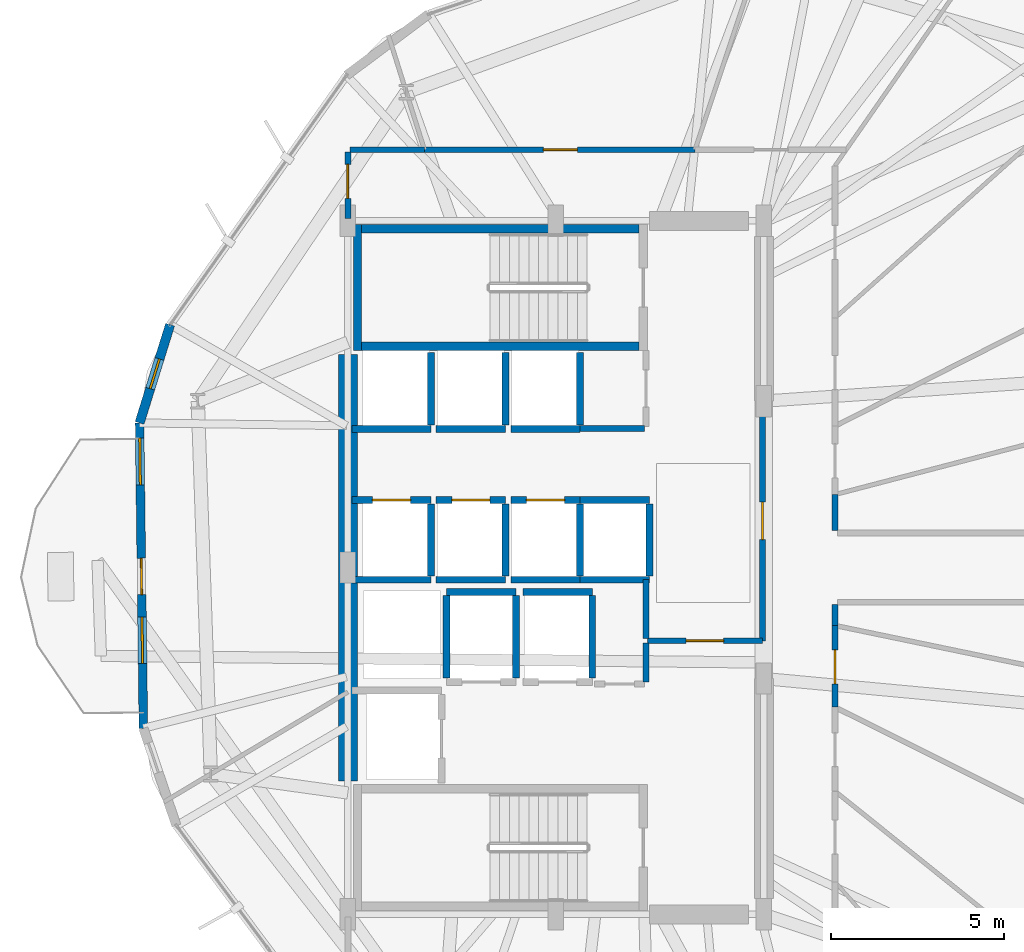
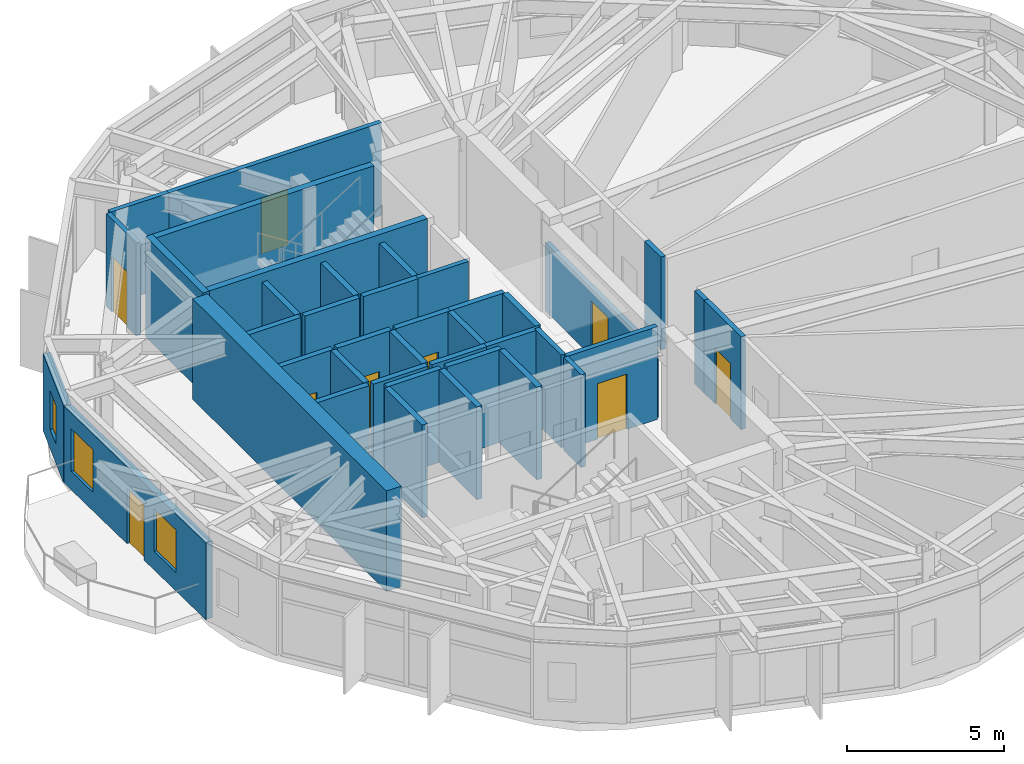
# One storey, part 20 of 25: 40 walls, 9 doors, 3 windows, 12 openings.
"""IFC4 building model written with IfcOpenShell, lengths in metres."""

import ifcopenshell
import ifcopenshell.guid

model = None  # the IFC model being written
_history = None  # IfcOwnerHistory: only IFC2X3 demands one
_inside = {}  # id of a spatial element -> (the spatial element, [elements in it])
_under = {}  # id of a project, library or spatial element -> (it, [spatial elements below it])
_declared = {}  # id of a project -> (the project, [libraries it declares])
_typed = {}  # id of a type object -> (the type object, [elements of that type])
_made_of = {}  # id of a material, layer set ... -> (it, [elements and type objects made of it])


def new_model(schema):
    """Start an empty IFC model of exactly this schema.

    Asked for "IFC4X3", IfcOpenShell would pick the latest addendum, in which some entities
    have other attributes; the version numbers below select the first issue.
    IFC2X3 requires an IfcOwnerHistory on every rooted entity: one is made here for all.
    """
    global model, _history
    if schema == "IFC4X3":
        model = ifcopenshell.file(schema_version=(4, 3, 0, 0))
    else:
        model = ifcopenshell.file(schema=schema)
    _inside.clear()
    _under.clear()
    _declared.clear()
    _typed.clear()
    _made_of.clear()
    _history = None
    if model.schema == "IFC2X3":
        org = make("IfcOrganization", Name="unknown")
        user = make(
            "IfcPersonAndOrganization",
            ThePerson=make("IfcPerson", FamilyName="unknown"),
            TheOrganization=org,
        )
        app = make(
            "IfcApplication",
            ApplicationDeveloper=org,
            Version="unknown",
            ApplicationFullName="unknown",
            ApplicationIdentifier="unknown",
        )
        _history = make(
            "IfcOwnerHistory",
            OwningUser=user,
            OwningApplication=app,
            ChangeAction="ADDED",
            CreationDate=0,
        )
    return model


def make(cls, **values):
    """One entity of the class cls with the attributes given. An attribute that is None is left unset."""
    return model.create_entity(
        cls, **{name: value for name, value in values.items() if value is not None}
    )


def rooted(cls, **values):
    """An entity with a GlobalId (a new one), such as an element, a storey or a relation."""
    return make(cls, GlobalId=ifcopenshell.guid.new(), OwnerHistory=_history, **values)


def si_unit(unit_type, name, prefix=None):
    """IfcSIUnit, for example si_unit("LENGTHUNIT", "METRE", prefix="MILLI")."""
    return make("IfcSIUnit", UnitType=unit_type, Prefix=prefix, Name=name)


def assignment(units):
    """IfcUnitAssignment: the units of a project."""
    return None if units is None else make("IfcUnitAssignment", Units=units)


def point(xyz):
    """IfcCartesianPoint."""
    return None if xyz is None else make("IfcCartesianPoint", Coordinates=xyz)


def direction(xyz):
    """IfcDirection."""
    return None if xyz is None else make("IfcDirection", DirectionRatios=xyz)


def frame(location, z_axis=None, x_axis=None):
    """IfcAxis2Placement3D, a coordinate frame: its origin and axes. An axis left out is left unset."""
    return make(
        "IfcAxis2Placement3D",
        Location=point(location),
        Axis=direction(z_axis),
        RefDirection=direction(x_axis),
    )


def frame_2d(location, x_axis=None):
    """IfcAxis2Placement2D, a coordinate frame in the plane: its origin and x axis."""
    return make(
        "IfcAxis2Placement2D", Location=point(location), RefDirection=direction(x_axis)
    )


def origin():
    """The frame at (0, 0, 0) with its axes left unset."""
    return frame((0.0, 0.0, 0.0))


def place(relative_to, where):
    """IfcLocalPlacement: puts the frame where relative to a parent placement (None: the world)."""
    return make(
        "IfcLocalPlacement", PlacementRelTo=relative_to, RelativePlacement=where
    )


def context(
    kind, dimensions, precision=None, world=None, true_north=None, identifier=None
):
    """IfcGeometricRepresentationContext, for example the 3D "Model" context."""
    return make(
        "IfcGeometricRepresentationContext",
        ContextIdentifier=identifier,
        ContextType=kind,
        CoordinateSpaceDimension=dimensions,
        Precision=precision,
        WorldCoordinateSystem=world,
        TrueNorth=true_north,
    )


def subcontext(parent, identifier, kind, view, scale=None):
    """IfcGeometricRepresentationSubContext, for example "Body" below "Model"."""
    return make(
        "IfcGeometricRepresentationSubContext",
        ContextIdentifier=identifier,
        ContextType=kind,
        ParentContext=parent,
        TargetScale=scale,
        TargetView=view,
    )


def project(units=None, contexts=None):
    """IfcProject with its units and contexts."""
    return rooted(
        "IfcProject",
        Name="project",
        RepresentationContexts=contexts,
        UnitsInContext=assignment(units),
    )


def spatial(cls, under=None, at=None, **own):
    """A site, building, storey or space (cls), placed at a placement, below another one or the project."""
    s = rooted(cls, ObjectPlacement=at, **own)
    if under is not None:
        _under.setdefault(under.id(), (under, []))[1].append(s)
    return s


def profile(cls, at=None, kind="AREA", **sizes):
    """A parametric profile (cls). Its sizes go by their IFC names, for example OverallWidth=200.0."""
    return make(cls, ProfileType=kind, Position=at, **sizes)


def rectangle(**sizes):
    """IfcRectangleProfileDef."""
    return profile("IfcRectangleProfileDef", **sizes)


def extrude(swept, where, along, depth):
    """IfcExtrudedAreaSolid: the profile swept, set in the frame where, extruded along a direction by depth."""
    return make(
        "IfcExtrudedAreaSolid",
        SweptArea=swept,
        Position=where,
        ExtrudedDirection=direction(along),
        Depth=depth,
    )


def shape(context_of_items, identifier, shape_type, items):
    """IfcShapeRepresentation: the items that make up one representation, for example the "Body"."""
    return make(
        "IfcShapeRepresentation",
        ContextOfItems=context_of_items,
        RepresentationIdentifier=identifier,
        RepresentationType=shape_type,
        Items=items,
    )


def material(Name=None, Category=None):
    """IfcMaterial."""
    return make("IfcMaterial", Name=Name, Category=Category)


def layer(
    of_material, thickness, ventilated=None, Name=None, Category=None, Priority=None
):
    """IfcMaterialLayer: one layer of a wall or slab, of a material (None: an air gap)."""
    return make(
        "IfcMaterialLayer",
        Material=of_material,
        LayerThickness=thickness,
        IsVentilated=ventilated,
        Name=Name,
        Category=Category,
        Priority=Priority,
    )


def layer_set(layers, Name=None):
    """IfcMaterialLayerSet."""
    return make("IfcMaterialLayerSet", MaterialLayers=layers, LayerSetName=Name)


def made_of(thing, what):
    """Note that an element or type object is made of a material, layer set ...; save() writes the relation."""
    if what is not None:
        _made_of.setdefault(what.id(), (what, []))[1].append(thing)
    return thing


def type_object(cls, material=None, **own):
    """A type object (cls), such as IfcWallType, which elements share."""
    return made_of(rooted(cls, **own), material)


def element(
    cls,
    number,
    at=None,
    inside=None,
    cuts=None,
    type_object=None,
    material=None,
    context=None,
    identifier="Body",
    shape_type=None,
    held_by="IfcProductDefinitionShape",
    body=None,
    shapes=None,
    **own,
):
    """One element of the class cls, such as IfcWall. Its Tag is "e" and its number.

    at: its placement. inside: the storey or other place that contains it. cuts: it is an
    opening in that element (IfcRelVoidsElement). A single representation is given by context,
    identifier, shape_type and body (its items); several are given by shapes. held_by: the class
    of the entity that holds the representations. save() writes the other relations.
    """
    e = rooted(cls, Tag="e%d" % number, ObjectPlacement=at, **own)
    if body is not None:
        shapes = [shape(context, identifier, shape_type, body)]
    if shapes is not None:
        e.Representation = make(held_by, Representations=shapes)
    if inside is not None:
        _inside.setdefault(inside.id(), (inside, []))[1].append(e)
    if cuts is not None:
        rooted(
            "IfcRelVoidsElement", RelatingBuildingElement=cuts, RelatedOpeningElement=e
        )
    if type_object is not None:
        _typed.setdefault(type_object.id(), (type_object, []))[1].append(e)
    return made_of(e, material)


def fill(opening, filler):
    """IfcRelFillsElement: the door or window that sits in an opening."""
    return rooted(
        "IfcRelFillsElement",
        RelatingOpeningElement=opening,
        RelatedBuildingElement=filler,
    )


def aggregate(whole, parts):
    """IfcRelAggregates: a whole, such as a stair, and the parts it consists of."""
    return rooted("IfcRelAggregates", RelatingObject=whole, RelatedObjects=parts)


def save(model, path):
    """Write the relations noted so far, then the file.

    IfcRelAggregates (storeys below a building ...), IfcRelContainedInSpatialStructure (elements
    in a storey), IfcRelDefinesByType, IfcRelAssociatesMaterial and IfcRelDeclares: one each for
    every whole, place, type object, material and project.
    """
    for whole, parts in _under.values():
        aggregate(whole, parts)
    for where, things in _inside.values():
        rooted(
            "IfcRelContainedInSpatialStructure",
            RelatedElements=things,
            RelatingStructure=where,
        )
    for kind, things in _typed.values():
        rooted("IfcRelDefinesByType", RelatedObjects=things, RelatingType=kind)
    for what, things in _made_of.values():
        rooted("IfcRelAssociatesMaterial", RelatedObjects=things, RelatingMaterial=what)
    for by, libraries in _declared.values():
        rooted("IfcRelDeclares", RelatingContext=by, RelatedDefinitions=libraries)
    model.write(path)


model = new_model("IFC4")

# Units and contexts
model_context = context("Model", 3, precision=1e-05, world=origin(), true_north=direction((0.0, 1.0)))
body_context = subcontext(model_context, "Body", "Model", "MODEL_VIEW")
ifc_project = project(units=[si_unit("LENGTHUNIT", "METRE"), si_unit("AREAUNIT", "SQUARE_METRE"), si_unit("VOLUMEUNIT", "CUBIC_METRE"), si_unit("PLANEANGLEUNIT", "RADIAN"), si_unit("MASSUNIT", "GRAM", prefix="KILO")], contexts=[model_context])

# Site, building, storey
site_placement = place(None, origin())
site = spatial("IfcSite", under=ifc_project, at=site_placement, CompositionType="ELEMENT")
building_placement = place(site_placement, origin())
building = spatial("IfcBuilding", under=site, at=building_placement, Name="Soratama Intermodal Tower", CompositionType="ELEMENT")
storey_placement = place(building_placement, frame((0.0, 0.0, 106.89990234375)))
storey = spatial("IfcBuildingStorey", under=building, at=storey_placement, Name="L25", CompositionType="ELEMENT", Elevation=106.89990234375)

# Wall, openings, door, windows
ifc_material_1 = material(Name="Concrete f'c 42 MPa", Category="concrete")
ifc_layer_1 = layer(ifc_material_1, 0.25)
ifc_layer_set_1 = layer_set([ifc_layer_1], Name="Concrete f'c 42 MPa")
wall_type_1 = type_object("IfcWallType", Name="EW-BAL-250", PredefinedType="SOLIDWALL", material=ifc_layer_set_1)
wall_1_placement = place(storey_placement, frame((26.59423828125, 29.17236328125, 0.0), z_axis=(0.0, 0.0, 1.0), x_axis=(0.012558271015, -0.999921141805, 0.0)))
wall_1 = element("IfcWall", 1, at=wall_1_placement, inside=storey, type_object=wall_type_1, Name="L25 Terrace Wall F05", PredefinedType="SOLIDWALL", context=body_context, shape_type="SweptSolid", body=[
    extrude(rectangle(XDim=8.806640625, YDim=0.25, at=frame_2d((4.4033203125, 0.0))), origin(), (0.0, 0.0, 1.0), 2.97900390625),
])
opening_1_placement = place(wall_1_placement, frame((3.9033203125, 0.0, 0.0)))
opening_1 = element("IfcOpeningElement", 2, at=opening_1_placement, cuts=wall_1, Name="Opening ED-5", PredefinedType="OPENING", context=body_context, shape_type="SweptSolid", body=[
    extrude(rectangle(XDim=1.050048828125, YDim=2.14990234375, at=frame_2d((0.52490234375, 1.074951171875))), frame((0.0, 0.135009765625, 0.0), z_axis=(0.0, -1.0, 0.0), x_axis=(1.0, 0.0, 0.0)), (0.0, 0.0, 1.0), 0.27001953125),
])
opening_2_placement = place(wall_1_placement, frame((0.43994140625, 0.0, 0.719970703125)))
opening_2 = element("IfcOpeningElement", 3, at=opening_2_placement, cuts=wall_1, Name="Opening WN-4", PredefinedType="OPENING", context=body_context, shape_type="SweptSolid", body=[
    extrude(rectangle(XDim=1.35009765625, YDim=1.64990234375, at=frame_2d((0.675048828125, 0.824951171875))), frame((0.0, 0.135009765625, 0.0), z_axis=(0.0, -1.0, 0.0), x_axis=(1.0, 0.0, 0.0)), (0.0, 0.0, 1.0), 0.27001953125),
])
opening_3_placement = place(wall_1_placement, frame((5.59326171875, 0.0, 0.719970703125)))
opening_3 = element("IfcOpeningElement", 4, at=opening_3_placement, cuts=wall_1, Name="Opening WN-4", PredefinedType="OPENING", context=body_context, shape_type="SweptSolid", body=[
    extrude(rectangle(XDim=1.35009765625, YDim=1.64990234375, at=frame_2d((0.675048828125, 0.824951171875))), frame((0.0, 0.135009765625, 0.0), z_axis=(0.0, -1.0, 0.0), x_axis=(1.0, 0.0, 0.0)), (0.0, 0.0, 1.0), 0.27001953125),
])
ifc_material_2 = material(Name="Double-glazed aluminium door", Category="aluminium")
door_type_1 = type_object("IfcDoorType", Name="DR-BAL-1050", OperationType="NOTDEFINED", PredefinedType="DOOR", material=ifc_material_2)
door_1_placement = place(opening_1_placement, origin())
door_1 = element("IfcDoor", 5, at=door_1_placement, inside=storey, type_object=door_type_1, Name="L25 Balcony Door F05", OperationType="SINGLE_SWING_LEFT", OverallHeight=2.14990234375, OverallWidth=1.050048828125, PredefinedType="DOOR", context=body_context, shape_type="SweptSolid", body=[
    extrude(rectangle(XDim=1.050048828125, YDim=2.14990234375, at=frame_2d((0.52490234375, 1.074951171875))), frame((0.0, 0.02490234375, 0.0), z_axis=(0.0, -1.0, 0.0), x_axis=(1.0, 0.0, 0.0)), (0.0, 0.0, 1.0), 0.050048828125),
])
fill(opening_1, door_1)
ifc_material_3 = material(Name="Double-glazed aluminium window", Category="aluminium")
window_type_1 = type_object("IfcWindowType", Name="WN-FAC-1350", PartitioningType="SINGLE_PANEL", PredefinedType="WINDOW", material=ifc_material_3)
window_1_placement = place(opening_2_placement, origin())
window_1 = element("IfcWindow", 6, at=window_1_placement, inside=storey, type_object=window_type_1, Name="L25 Window A F05", OverallHeight=1.64990234375, OverallWidth=1.35009765625, PartitioningType="SINGLE_PANEL", PredefinedType="WINDOW", context=body_context, shape_type="SweptSolid", body=[
    extrude(rectangle(XDim=1.35009765625, YDim=1.64990234375, at=frame_2d((0.675048828125, 0.824951171875))), frame((0.0, 0.030029296875, 0.0), z_axis=(0.0, -1.0, 0.0), x_axis=(1.0, 0.0, 0.0)), (0.0, 0.0, 1.0), 0.06005859375),
])
fill(opening_2, window_1)
window_2_placement = place(opening_3_placement, origin())
window_2 = element("IfcWindow", 7, at=window_2_placement, inside=storey, type_object=window_type_1, Name="L25 Window B F05", OverallHeight=1.64990234375, OverallWidth=1.35009765625, PartitioningType="SINGLE_PANEL", PredefinedType="WINDOW", context=body_context, shape_type="SweptSolid", body=[
    extrude(rectangle(XDim=1.35009765625, YDim=1.64990234375, at=frame_2d((0.675048828125, 0.824951171875))), frame((0.0, 0.030029296875, 0.0), z_axis=(0.0, -1.0, 0.0), x_axis=(1.0, 0.0, 0.0)), (0.0, 0.0, 1.0), 0.06005859375),
])
fill(opening_3, window_2)

# Wall, opening, window
ifc_material_4 = material(Name="Concrete f'c 42 MPa", Category="concrete")
ifc_layer_2 = layer(ifc_material_4, 0.27001953125)
ifc_layer_set_2 = layer_set([ifc_layer_2], Name="Concrete f'c 42 MPa")
wall_type_2 = type_object("IfcWallType", Name="EW-CRN-270", PredefinedType="SOLIDWALL", material=ifc_layer_set_2)
wall_2_placement = place(storey_placement, frame((27.475341796875, 32.0048828125, 0.0), z_axis=(0.0, 0.0, 1.0), x_axis=(-0.29702819911, -0.954868707694, 0.0)))
wall_2 = element("IfcWall", 8, at=wall_2_placement, inside=storey, type_object=wall_type_2, Name="L25 Corner Closure Wall 04", PredefinedType="SOLIDWALL", context=body_context, shape_type="SweptSolid", body=[
    extrude(rectangle(XDim=2.96630859375, YDim=0.27001953125, at=frame_2d((1.483154296875, 0.0))), origin(), (0.0, 0.0, 1.0), 2.97900390625),
])
opening_4_placement = place(wall_2_placement, frame((1.033203125, 0.0, 0.75)))
opening_4 = element("IfcOpeningElement", 9, at=opening_4_placement, cuts=wall_2, Name="Opening WN-6", PredefinedType="OPENING", context=body_context, shape_type="SweptSolid", body=[
    extrude(rectangle(XDim=0.89990234375, YDim=1.5, at=frame_2d((0.449951171875, 0.75))), frame((0.0, 0.14501953125, 0.0), z_axis=(0.0, -1.0, 0.0), x_axis=(1.0, 0.0, 0.0)), (0.0, 0.0, 1.0), 0.2900390625),
])
ifc_material_5 = material(Name="Double-glazed aluminium window", Category="aluminium")
window_type_2 = type_object("IfcWindowType", Name="WN-FAC-900", PartitioningType="SINGLE_PANEL", PredefinedType="WINDOW", material=ifc_material_5)
window_3_placement = place(opening_4_placement, origin())
window_3 = element("IfcWindow", 10, at=window_3_placement, inside=storey, type_object=window_type_2, Name="L25 Corner Window 04", OverallHeight=1.5, OverallWidth=0.89990234375, PartitioningType="SINGLE_PANEL", PredefinedType="WINDOW", context=body_context, shape_type="SweptSolid", body=[
    extrude(rectangle(XDim=0.89990234375, YDim=1.5, at=frame_2d((0.449951171875, 0.75))), frame((0.0, 0.030029296875, 0.0), z_axis=(0.0, -1.0, 0.0), x_axis=(1.0, 0.0, 0.0)), (0.0, 0.0, 1.0), 0.06005859375),
])
fill(opening_4, window_3)

# Wall, opening, door
ifc_material_6 = material(Name="Fire-rated gypsum stud partition", Category="concrete")
ifc_layer_3 = layer(ifc_material_6, 0.169921875)
ifc_layer_set_3 = layer_set([ifc_layer_3], Name="Fire-rated gypsum stud partition")
wall_type_3 = type_object("IfcWallType", Name="IW-PART-R170", PredefinedType="PARTITIONING", material=ifc_layer_set_3)
wall_3_placement = place(storey_placement, frame((34.81005859375, 37.050048828125, 0.0), z_axis=(0.0, 0.0, 1.0), x_axis=(1.0, 0.0, 0.0)))
wall_3 = element("IfcWall", 11, at=wall_3_placement, inside=storey, type_object=wall_type_3, Name="L25 Partition W-L25-TP010", PredefinedType="PARTITIONING", context=body_context, shape_type="SweptSolid", body=[
    extrude(rectangle(XDim=7.803955078125, YDim=0.169921875, at=frame_2d((3.90185546875, 0.0))), origin(), (0.0, 0.0, 1.0), 3.60009765625),
])
opening_5_placement = place(wall_3_placement, frame((3.427001953125, 0.0, 0.0)))
opening_5 = element("IfcOpeningElement", 12, at=opening_5_placement, cuts=wall_3, Name="Opening ID-5", PredefinedType="OPENING", context=body_context, shape_type="SweptSolid", body=[
    extrude(rectangle(XDim=0.97998046875, YDim=2.14990234375, at=frame_2d((0.489990234375, 1.074951171875))), frame((0.0, 0.094970703125, 0.0), z_axis=(0.0, -1.0, 0.0), x_axis=(1.0, 0.0, 0.0)), (0.0, 0.0, 1.0), 0.18994140625),
])
ifc_material_7 = material(Name="Solid hardwood acoustic door", Category="wood")
door_type_2 = type_object("IfcDoorType", Name="DR-OFF-980", OperationType="NOTDEFINED", PredefinedType="DOOR", material=ifc_material_7)
door_2_placement = place(opening_5_placement, origin())
door_2 = element("IfcDoor", 13, at=door_2_placement, inside=storey, type_object=door_type_2, Name="L25 Door D-L25-TP003", OperationType="SINGLE_SWING_RIGHT", OverallHeight=2.14990234375, OverallWidth=0.97998046875, PredefinedType="DOOR", context=body_context, shape_type="SweptSolid", body=[
    extrude(rectangle(XDim=0.97998046875, YDim=2.14990234375, at=frame_2d((0.489990234375, 1.074951171875))), frame((0.0, 0.02490234375, 0.0), z_axis=(0.0, -1.0, 0.0), x_axis=(1.0, 0.0, 0.0)), (0.0, 0.0, 1.0), 0.050048828125),
])
fill(opening_5, door_2)

wall_4_placement = place(storey_placement, frame((44.56005859375, 29.800048828125, 0.0), z_axis=(0.0, 0.0, 1.0), x_axis=(0.0, -1.0, 0.0)))
wall_4 = element("IfcWall", 14, at=wall_4_placement, inside=storey, type_object=wall_type_3, Name="L25 Partition W-L25-TP014", PredefinedType="PARTITIONING", context=body_context, shape_type="SweptSolid", body=[
    extrude(rectangle(XDim=6.91015625, YDim=0.169921875, at=frame_2d((3.455078125, 0.0))), origin(), (0.0, 0.0, 1.0), 2.64013671875),
])
opening_6_placement = place(wall_4_placement, frame((2.9150390625, 0.0, 0.0)))
opening_6 = element("IfcOpeningElement", 15, at=opening_6_placement, cuts=wall_4, Name="Opening ID-1", PredefinedType="OPENING", context=body_context, shape_type="SweptSolid", body=[
    extrude(rectangle(XDim=1.080078125, YDim=2.14990234375, at=frame_2d((0.5400390625, 1.074951171875))), frame((0.0, 0.094970703125, 0.0), z_axis=(0.0, -1.0, 0.0), x_axis=(1.0, 0.0, 0.0)), (0.0, 0.0, 1.0), 0.18994140625),
])
ifc_material_8 = material(Name="Solid hardwood acoustic door", Category="wood")
door_type_3 = type_object("IfcDoorType", Name="DR-LOB-FD60", OperationType="NOTDEFINED", PredefinedType="DOOR", material=ifc_material_8)
door_3_placement = place(opening_6_placement, origin())
door_3 = element("IfcDoor", 16, at=door_3_placement, inside=storey, type_object=door_type_3, Name="L25 Door D-L25-TP004", OperationType="SINGLE_SWING_LEFT", OverallHeight=2.14990234375, OverallWidth=1.080078125, PredefinedType="DOOR", context=body_context, shape_type="SweptSolid", body=[
    extrude(rectangle(XDim=1.080078125, YDim=2.14990234375, at=frame_2d((0.5400390625, 1.074951171875))), frame((0.0, 0.02490234375, 0.0), z_axis=(0.0, -1.0, 0.0), x_axis=(1.0, 0.0, 0.0)), (0.0, 0.0, 1.0), 0.050048828125),
])
fill(opening_6, door_3)

wall_5_placement = place(storey_placement, frame((41.239990234375, 22.889892578125, 0.0), z_axis=(0.0, 0.0, 1.0), x_axis=(1.0, 0.0, 0.0)))
wall_5 = element("IfcWall", 17, at=wall_5_placement, inside=storey, type_object=wall_type_3, Name="L25 Partition W-L25-TP023", PredefinedType="PARTITIONING", context=body_context, shape_type="SweptSolid", body=[
    extrude(rectangle(XDim=3.320068359375, YDim=0.169921875, at=frame_2d((1.66015625, 0.0))), origin(), (0.0, 0.0, 1.0), 3.60009765625),
])
opening_7_placement = place(wall_5_placement, frame((1.1201171875, 0.0, 0.0)))
opening_7 = element("IfcOpeningElement", 18, at=opening_7_placement, cuts=wall_5, Name="Opening ID-0", PredefinedType="OPENING", context=body_context, shape_type="SweptSolid", body=[
    extrude(rectangle(XDim=1.080078125, YDim=2.14990234375, at=frame_2d((0.5400390625, 1.074951171875))), frame((0.0, 0.094970703125, 0.0), z_axis=(0.0, -1.0, 0.0), x_axis=(1.0, 0.0, 0.0)), (0.0, 0.0, 1.0), 0.18994140625),
])
ifc_material_9 = material(Name="Solid hardwood acoustic door", Category="wood")
door_type_4 = type_object("IfcDoorType", Name="DR-LOB-FD90", OperationType="NOTDEFINED", PredefinedType="DOOR", material=ifc_material_9)
door_4_placement = place(opening_7_placement, origin())
door_4 = element("IfcDoor", 19, at=door_4_placement, inside=storey, type_object=door_type_4, Name="L25 Door D-L25-TP007", OperationType="SINGLE_SWING_RIGHT", OverallHeight=2.14990234375, OverallWidth=1.080078125, PredefinedType="DOOR", context=body_context, shape_type="SweptSolid", body=[
    extrude(rectangle(XDim=1.080078125, YDim=2.14990234375, at=frame_2d((0.5400390625, 1.074951171875))), frame((0.0, 0.02490234375, 0.0), z_axis=(0.0, -1.0, 0.0), x_axis=(1.0, 0.0, 0.0)), (0.0, 0.0, 1.0), 0.050048828125),
])
fill(opening_7, door_4)

wall_6_placement = place(storey_placement, frame((46.64990234375, 23.330078125, 0.0), z_axis=(0.0, 0.0, 1.0), x_axis=(0.0, -1.0, 0.0)))
wall_6 = element("IfcWall", 20, at=wall_6_placement, inside=storey, type_object=wall_type_3, Name="L25 Partition W-L25-TP032", PredefinedType="PARTITIONING", context=body_context, shape_type="SweptSolid", body=[
    extrude(rectangle(XDim=2.35498046875, YDim=0.169921875, at=frame_2d((1.177490234375, 0.0))), origin(), (0.0, 0.0, 1.0), 3.60009765625),
])
opening_8_placement = place(wall_6_placement, frame((0.701904296875, 0.0, 0.0)))
opening_8 = element("IfcOpeningElement", 21, at=opening_8_placement, cuts=wall_6, Name="Opening ID-5", PredefinedType="OPENING", context=body_context, shape_type="SweptSolid", body=[
    extrude(rectangle(XDim=0.97998046875, YDim=2.14990234375, at=frame_2d((0.489990234375, 1.074951171875))), frame((0.0, 0.094970703125, 0.0), z_axis=(0.0, -1.0, 0.0), x_axis=(1.0, 0.0, 0.0)), (0.0, 0.0, 1.0), 0.18994140625),
])
door_5_placement = place(opening_8_placement, origin())
door_5 = element("IfcDoor", 22, at=door_5_placement, inside=storey, type_object=door_type_2, Name="L25 Door D-L25-TP016", OperationType="SINGLE_SWING_LEFT", OverallHeight=2.14990234375, OverallWidth=0.97998046875, PredefinedType="DOOR", context=body_context, shape_type="SweptSolid", body=[
    extrude(rectangle(XDim=0.97998046875, YDim=2.14990234375, at=frame_2d((0.489990234375, 1.074951171875))), frame((0.0, 0.02490234375, 0.0), z_axis=(0.0, -1.0, 0.0), x_axis=(1.0, 0.0, 0.0)), (0.0, 0.0, 1.0), 0.050048828125),
])
fill(opening_8, door_5)

# Wall
wall_7_placement = place(storey_placement, frame((32.669921875, 37.050048828125, 0.0), z_axis=(0.0, 0.0, 1.0), x_axis=(1.0, 0.0, 0.0)))
element("IfcWall", 23, at=wall_7_placement, inside=storey, type_object=wall_type_3, Name="L25 Partition W-L25-TP034", PredefinedType="PARTITIONING", context=body_context, shape_type="SweptSolid", body=[
    extrude(rectangle(XDim=2.14013671875, YDim=0.169921875, at=frame_2d((1.070068359375, 0.0))), origin(), (0.0, 0.0, 1.0), 3.60009765625),
])

# Wall, opening, door
wall_8_placement = place(storey_placement, frame((32.60009765625, 35.070068359375, 0.0), z_axis=(0.0, 0.0, 1.0), x_axis=(0.0, 1.0, 0.0)))
wall_8 = element("IfcWall", 24, at=wall_8_placement, inside=storey, type_object=wall_type_3, Name="L25 Partition W-L25-TP037", PredefinedType="PARTITIONING", context=body_context, shape_type="SweptSolid", body=[
    extrude(rectangle(XDim=1.909912109375, YDim=0.169921875, at=frame_2d((0.955078125, 0.0))), origin(), (0.0, 0.0, 1.0), 3.60009765625),
])
opening_9_placement = place(wall_8_placement, frame((0.574951171875, 0.0, 0.0)))
opening_9 = element("IfcOpeningElement", 25, at=opening_9_placement, cuts=wall_8, Name="Opening ID-5", PredefinedType="OPENING", context=body_context, shape_type="SweptSolid", body=[
    extrude(rectangle(XDim=0.97998046875, YDim=2.14990234375, at=frame_2d((0.489990234375, 1.074951171875))), frame((0.0, 0.094970703125, 0.0), z_axis=(0.0, -1.0, 0.0), x_axis=(1.0, 0.0, 0.0)), (0.0, 0.0, 1.0), 0.18994140625),
])
door_6_placement = place(opening_9_placement, origin())
door_6 = element("IfcDoor", 26, at=door_6_placement, inside=storey, type_object=door_type_2, Name="L25 Door D-L25-TP019", OperationType="SINGLE_SWING_RIGHT", OverallHeight=2.14990234375, OverallWidth=0.97998046875, PredefinedType="DOOR", context=body_context, shape_type="SweptSolid", body=[
    extrude(rectangle(XDim=0.97998046875, YDim=2.14990234375, at=frame_2d((0.489990234375, 1.074951171875))), frame((0.0, 0.02490234375, 0.0), z_axis=(0.0, -1.0, 0.0), x_axis=(1.0, 0.0, 0.0)), (0.0, 0.0, 1.0), 0.050048828125),
])
fill(opening_9, door_6)

# Walls
wall_9_placement = place(storey_placement, frame((39.300048828125, 29.010009765625, 0.0), z_axis=(0.0, 0.0, 1.0), x_axis=(1.0, 0.0, 0.0)))
element("IfcWall", 27, at=wall_9_placement, inside=storey, type_object=wall_type_3, Name="L25 Partition W-L25-TP038", PredefinedType="PARTITIONING", context=body_context, shape_type="SweptSolid", body=[
    extrude(rectangle(XDim=1.85986328125, YDim=0.169921875, at=frame_2d((0.929931640625, 0.0))), origin(), (0.0, 0.0, 1.0), 3.60009765625),
])
wall_10_placement = place(storey_placement, frame((41.199951171875, 22.9599609375, 0.0), z_axis=(0.0, 0.0, 1.0), x_axis=(0.0, 1.0, 0.0)))
element("IfcWall", 28, at=wall_10_placement, inside=storey, type_object=wall_type_3, Name="L25 Partition W-L25-TP039", PredefinedType="PARTITIONING", context=body_context, shape_type="SweptSolid", body=[
    extrude(rectangle(XDim=1.68994140625, YDim=0.169921875, at=frame_2d((0.844970703125, 0.0))), origin(), (0.0, 0.0, 1.0), 3.60009765625),
])
wall_11_placement = place(storey_placement, frame((41.199951171875, 21.699951171875, 0.0), z_axis=(0.0, 0.0, 1.0), x_axis=(0.0, 1.0, 0.0)))
element("IfcWall", 29, at=wall_11_placement, inside=storey, type_object=wall_type_3, Name="L25 Partition W-L25-TP041", PredefinedType="PARTITIONING", context=body_context, shape_type="SweptSolid", body=[
    extrude(rectangle(XDim=1.1201171875, YDim=0.169921875, at=frame_2d((0.56005859375, 0.0))), origin(), (0.0, 0.0, 1.0), 3.60009765625),
])
wall_12_placement = place(storey_placement, frame((46.64990234375, 27.10595703125, 0.0), z_axis=(0.0, 0.0, 1.0), x_axis=(0.0, -1.0, 0.0)))
element("IfcWall", 30, at=wall_12_placement, inside=storey, type_object=wall_type_3, Name="L25 Partition W-L25-TP042", PredefinedType="PARTITIONING", context=body_context, shape_type="SweptSolid", body=[
    extrude(rectangle(XDim=1.035888671875, YDim=0.169921875, at=frame_2d((0.51806640625, 0.0))), origin(), (0.0, 0.0, 1.0), 3.60009765625),
])
wall_13_placement = place(storey_placement, frame((46.64990234375, 23.929931640625, 0.0), z_axis=(0.0, 0.0, 1.0), x_axis=(0.0, -1.0, 0.0)))
element("IfcWall", 31, at=wall_13_placement, inside=storey, type_object=wall_type_3, Name="L25 Partition W-L25-TP043", PredefinedType="PARTITIONING", context=body_context, shape_type="SweptSolid", body=[
    extrude(rectangle(XDim=0.599853515625, YDim=0.169921875, at=frame_2d((0.2998046875, 0.0))), origin(), (0.0, 0.0, 1.0), 3.60009765625),
])
ifc_material_10 = material(Name="Concrete f'c 42 MPa", Category="concrete")
ifc_layer_4 = layer(ifc_material_10, 0.199951171875)
ifc_layer_set_4 = layer_set([ifc_layer_4], Name="Concrete f'c 42 MPa")
wall_type_4 = type_object("IfcWallType", Name="IW-SHAFT-200", PredefinedType="SOLIDWALL", material=ifc_layer_set_4)
wall_14_placement = place(storey_placement, frame((35.449951171875, 24.300048828125, 0.0), z_axis=(0.0, 0.0, 1.0), x_axis=(1.0, 0.0, 0.0)))
element("IfcWall", 32, at=wall_14_placement, inside=storey, type_object=wall_type_4, Name="L25 FFL-1 Hoistway Wall N", PredefinedType="SOLIDWALL", context=body_context, shape_type="SweptSolid", body=[
    extrude(rectangle(XDim=2.0, YDim=0.199951171875, at=frame_2d((1.0, 0.0))), origin(), (0.0, 0.0, 1.0), 3.60009765625),
])
for number, where, z_axis, x_axis, name in (
    (33, (35.449951171875, 21.81005859375, 0.0), (0.0, 0.0, 1.0), (0.0, 1.0, 0.0), "L25 FFL-1 Hoistway Wall W"),
    (34, (37.449951171875, 21.81005859375, 0.0), (0.0, 0.0, 1.0), (0.0, 1.0, 0.0), "L25 FFL-1 Hoistway Wall E"),
):
    element("IfcWall", number, at=place(storey_placement, frame(where, z_axis=z_axis, x_axis=x_axis)), inside=storey, type_object=wall_type_4, Name=name, PredefinedType="SOLIDWALL", context=body_context, shape_type="SweptSolid", body=[
        extrude(rectangle(XDim=2.3798828125, YDim=0.199951171875, at=frame_2d((1.18994140625, 0.0))), origin(), (0.0, 0.0, 1.0), 3.60009765625),
    ])
wall_15_placement = place(storey_placement, frame((37.64990234375, 24.300048828125, 0.0), z_axis=(0.0, 0.0, 1.0), x_axis=(1.0, 0.0, 0.0)))
element("IfcWall", 35, at=wall_15_placement, inside=storey, type_object=wall_type_4, Name="L25 FFL-2 Hoistway Wall N", PredefinedType="SOLIDWALL", context=body_context, shape_type="SweptSolid", body=[
    extrude(rectangle(XDim=2.0, YDim=0.199951171875, at=frame_2d((1.0, 0.0))), origin(), (0.0, 0.0, 1.0), 3.60009765625),
])
wall_16_placement = place(storey_placement, frame((39.64990234375, 21.81005859375, 0.0), z_axis=(0.0, 0.0, 1.0), x_axis=(0.0, 1.0, 0.0)))
element("IfcWall", 36, at=wall_16_placement, inside=storey, type_object=wall_type_4, Name="L25 FFL-2 Hoistway Wall E", PredefinedType="SOLIDWALL", context=body_context, shape_type="SweptSolid", body=[
    extrude(rectangle(XDim=2.3798828125, YDim=0.199951171875, at=frame_2d((1.18994140625, 0.0))), origin(), (0.0, 0.0, 1.0), 3.60009765625),
])
wall_17_placement = place(storey_placement, frame((32.719970703125, 24.64990234375, 0.0), z_axis=(0.0, 0.0, 1.0), x_axis=(1.0, 0.0, 0.0)))
element("IfcWall", 37, at=wall_17_placement, inside=storey, type_object=wall_type_4, Name="L25 PL-L1 Hoistway Wall S", PredefinedType="SOLIDWALL", context=body_context, shape_type="SweptSolid", body=[
    extrude(rectangle(XDim=2.280029296875, YDim=0.199951171875, at=frame_2d((1.14013671875, 0.0))), origin(), (0.0, 0.0, 1.0), 3.60009765625),
])

# Wall, opening, door
wall_18_placement = place(storey_placement, frame((32.719970703125, 26.949951171875, 0.0), z_axis=(0.0, 0.0, 1.0), x_axis=(1.0, 0.0, 0.0)))
wall_18 = element("IfcWall", 38, at=wall_18_placement, inside=storey, type_object=wall_type_4, Name="L25 PL-L1 Hoistway Wall N", PredefinedType="SOLIDWALL", context=body_context, shape_type="SweptSolid", body=[
    extrude(rectangle(XDim=2.280029296875, YDim=0.199951171875, at=frame_2d((1.14013671875, 0.0))), origin(), (0.0, 0.0, 1.0), 3.60009765625),
])
opening_10_placement = place(wall_18_placement, frame((0.590087890625, 0.0, 0.0)))
opening_10 = element("IfcOpeningElement", 39, at=opening_10_placement, cuts=wall_18, Name="Opening LD-1", PredefinedType="OPENING", context=body_context, shape_type="SweptSolid", body=[
    extrude(rectangle(XDim=1.10009765625, YDim=2.14990234375, at=frame_2d((0.550048828125, 1.074951171875))), frame((0.0, 0.10986328125, 0.0), z_axis=(0.0, -1.0, 0.0), x_axis=(1.0, 0.0, 0.0)), (0.0, 0.0, 1.0), 0.219970703125),
])
ifc_material_11 = material(Name="Steel fire door", Category="steel")
door_type_5 = type_object("IfcDoorType", Name="DR-LIFT-SLIDE", OperationType="NOTDEFINED", PredefinedType="DOOR", material=ifc_material_11)
door_7_placement = place(opening_10_placement, origin())
door_7 = element("IfcDoor", 40, at=door_7_placement, inside=storey, type_object=door_type_5, Name="L25 PL-L1 Sliding Landing Door", OperationType="SLIDING_TO_LEFT", OverallHeight=2.14990234375, OverallWidth=1.10009765625, PredefinedType="DOOR", context=body_context, shape_type="SweptSolid", body=[
    extrude(rectangle(XDim=1.10009765625, YDim=2.14990234375, at=frame_2d((0.550048828125, 1.074951171875))), frame((0.0, 0.02490234375, 0.0), z_axis=(0.0, -1.0, 0.0), x_axis=(1.0, 0.0, 0.0)), (0.0, 0.0, 1.0), 0.050048828125),
])
fill(opening_10, door_7)

# Walls
wall_19_placement = place(storey_placement, frame((35.0, 24.760009765625, 0.0), z_axis=(0.0, 0.0, 1.0), x_axis=(0.0, 1.0, 0.0)))
element("IfcWall", 41, at=wall_19_placement, inside=storey, type_object=wall_type_4, Name="L25 PL-L1 Hoistway Wall E", PredefinedType="SOLIDWALL", context=body_context, shape_type="SweptSolid", body=[
    extrude(rectangle(XDim=2.080078125, YDim=0.199951171875, at=frame_2d((1.0400390625, 0.0))), origin(), (0.0, 0.0, 1.0), 3.60009765625),
])
wall_20_placement = place(storey_placement, frame((35.14990234375, 24.64990234375, 0.0), z_axis=(0.0, 0.0, 1.0), x_axis=(1.0, 0.0, 0.0)))
element("IfcWall", 42, at=wall_20_placement, inside=storey, type_object=wall_type_4, Name="L25 PL-L2 Hoistway Wall S", PredefinedType="SOLIDWALL", context=body_context, shape_type="SweptSolid", body=[
    extrude(rectangle(XDim=2.0, YDim=0.199951171875, at=frame_2d((1.0, 0.0))), origin(), (0.0, 0.0, 1.0), 3.60009765625),
])

# Wall, opening, door
wall_21_placement = place(storey_placement, frame((35.14990234375, 26.949951171875, 0.0), z_axis=(0.0, 0.0, 1.0), x_axis=(1.0, 0.0, 0.0)))
wall_21 = element("IfcWall", 43, at=wall_21_placement, inside=storey, type_object=wall_type_4, Name="L25 PL-L2 Hoistway Wall N", PredefinedType="SOLIDWALL", context=body_context, shape_type="SweptSolid", body=[
    extrude(rectangle(XDim=2.0, YDim=0.199951171875, at=frame_2d((1.0, 0.0))), origin(), (0.0, 0.0, 1.0), 3.60009765625),
])
opening_11_placement = place(wall_21_placement, frame((0.449951171875, 0.0, 0.0)))
opening_11 = element("IfcOpeningElement", 44, at=opening_11_placement, cuts=wall_21, Name="Opening LD-1", PredefinedType="OPENING", context=body_context, shape_type="SweptSolid", body=[
    extrude(rectangle(XDim=1.10009765625, YDim=2.14990234375, at=frame_2d((0.550048828125, 1.074951171875))), frame((0.0, 0.10986328125, 0.0), z_axis=(0.0, -1.0, 0.0), x_axis=(1.0, 0.0, 0.0)), (0.0, 0.0, 1.0), 0.219970703125),
])
door_8_placement = place(opening_11_placement, origin())
door_8 = element("IfcDoor", 45, at=door_8_placement, inside=storey, type_object=door_type_5, Name="L25 PL-L2 Sliding Landing Door", OperationType="SLIDING_TO_LEFT", OverallHeight=2.14990234375, OverallWidth=1.10009765625, PredefinedType="DOOR", context=body_context, shape_type="SweptSolid", body=[
    extrude(rectangle(XDim=1.10009765625, YDim=2.14990234375, at=frame_2d((0.550048828125, 1.074951171875))), frame((0.0, 0.02490234375, 0.0), z_axis=(0.0, -1.0, 0.0), x_axis=(1.0, 0.0, 0.0)), (0.0, 0.0, 1.0), 0.050048828125),
])
fill(opening_11, door_8)

# Walls
wall_22_placement = place(storey_placement, frame((37.14990234375, 24.760009765625, 0.0), z_axis=(0.0, 0.0, 1.0), x_axis=(0.0, 1.0, 0.0)))
element("IfcWall", 46, at=wall_22_placement, inside=storey, type_object=wall_type_4, Name="L25 PL-L2 Hoistway Wall E", PredefinedType="SOLIDWALL", context=body_context, shape_type="SweptSolid", body=[
    extrude(rectangle(XDim=2.080078125, YDim=0.199951171875, at=frame_2d((1.0400390625, 0.0))), origin(), (0.0, 0.0, 1.0), 3.60009765625),
])
wall_23_placement = place(storey_placement, frame((37.300048828125, 24.64990234375, 0.0), z_axis=(0.0, 0.0, 1.0), x_axis=(1.0, 0.0, 0.0)))
element("IfcWall", 47, at=wall_23_placement, inside=storey, type_object=wall_type_4, Name="L25 PL-L3 Hoistway Wall S", PredefinedType="SOLIDWALL", context=body_context, shape_type="SweptSolid", body=[
    extrude(rectangle(XDim=2.0, YDim=0.199951171875, at=frame_2d((1.0, 0.0))), origin(), (0.0, 0.0, 1.0), 3.60009765625),
])

# Wall, opening, door
wall_24_placement = place(storey_placement, frame((37.300048828125, 26.949951171875, 0.0), z_axis=(0.0, 0.0, 1.0), x_axis=(1.0, 0.0, 0.0)))
wall_24 = element("IfcWall", 48, at=wall_24_placement, inside=storey, type_object=wall_type_4, Name="L25 PL-L3 Hoistway Wall N", PredefinedType="SOLIDWALL", context=body_context, shape_type="SweptSolid", body=[
    extrude(rectangle(XDim=2.0, YDim=0.199951171875, at=frame_2d((1.0, 0.0))), origin(), (0.0, 0.0, 1.0), 3.60009765625),
])
opening_12_placement = place(wall_24_placement, frame((0.449951171875, 0.0, 0.0)))
opening_12 = element("IfcOpeningElement", 49, at=opening_12_placement, cuts=wall_24, Name="Opening LD-1", PredefinedType="OPENING", context=body_context, shape_type="SweptSolid", body=[
    extrude(rectangle(XDim=1.10009765625, YDim=2.14990234375, at=frame_2d((0.550048828125, 1.074951171875))), frame((0.0, 0.10986328125, 0.0), z_axis=(0.0, -1.0, 0.0), x_axis=(1.0, 0.0, 0.0)), (0.0, 0.0, 1.0), 0.219970703125),
])
door_9_placement = place(opening_12_placement, origin())
door_9 = element("IfcDoor", 50, at=door_9_placement, inside=storey, type_object=door_type_5, Name="L25 PL-L3 Sliding Landing Door", OperationType="SLIDING_TO_LEFT", OverallHeight=2.14990234375, OverallWidth=1.10009765625, PredefinedType="DOOR", context=body_context, shape_type="SweptSolid", body=[
    extrude(rectangle(XDim=1.10009765625, YDim=2.14990234375, at=frame_2d((0.550048828125, 1.074951171875))), frame((0.0, 0.02490234375, 0.0), z_axis=(0.0, -1.0, 0.0), x_axis=(1.0, 0.0, 0.0)), (0.0, 0.0, 1.0), 0.050048828125),
])
fill(opening_12, door_9)

# Walls
wall_25_placement = place(storey_placement, frame((39.300048828125, 24.760009765625, 0.0), z_axis=(0.0, 0.0, 1.0), x_axis=(0.0, 1.0, 0.0)))
element("IfcWall", 51, at=wall_25_placement, inside=storey, type_object=wall_type_4, Name="L25 PL-L3 Hoistway Wall E", PredefinedType="SOLIDWALL", context=body_context, shape_type="SweptSolid", body=[
    extrude(rectangle(XDim=2.080078125, YDim=0.199951171875, at=frame_2d((1.0400390625, 0.0))), origin(), (0.0, 0.0, 1.0), 3.60009765625),
])
for number, where, z_axis, x_axis, name in (
    (52, (39.300048828125, 24.64990234375, 0.0), (0.0, 0.0, 1.0), (1.0, 0.0, 0.0), "L25 PL-M1 Hoistway Wall S"),
    (53, (39.300048828125, 26.949951171875, 0.0), (0.0, 0.0, 1.0), (1.0, 0.0, 0.0), "L25 PL-M1 Hoistway Wall N"),
):
    element("IfcWall", number, at=place(storey_placement, frame(where, z_axis=z_axis, x_axis=x_axis)), inside=storey, type_object=wall_type_4, Name=name, PredefinedType="SOLIDWALL", context=body_context, shape_type="SweptSolid", body=[
        extrude(rectangle(XDim=2.0, YDim=0.199951171875, at=frame_2d((1.0, 0.0))), origin(), (0.0, 0.0, 1.0), 3.60009765625),
    ])
wall_26_placement = place(storey_placement, frame((41.300048828125, 24.760009765625, 0.0), z_axis=(0.0, 0.0, 1.0), x_axis=(0.0, 1.0, 0.0)))
element("IfcWall", 54, at=wall_26_placement, inside=storey, type_object=wall_type_4, Name="L25 PL-M1 Hoistway Wall E", PredefinedType="SOLIDWALL", context=body_context, shape_type="SweptSolid", body=[
    extrude(rectangle(XDim=2.080078125, YDim=0.199951171875, at=frame_2d((1.0400390625, 0.0))), origin(), (0.0, 0.0, 1.0), 3.60009765625),
])
wall_27_placement = place(storey_placement, frame((32.719970703125, 29.0, 0.0), z_axis=(0.0, 0.0, 1.0), x_axis=(1.0, 0.0, 0.0)))
element("IfcWall", 55, at=wall_27_placement, inside=storey, type_object=wall_type_4, Name="L25 PL-M2 Hoistway Wall S", PredefinedType="SOLIDWALL", context=body_context, shape_type="SweptSolid", body=[
    extrude(rectangle(XDim=2.280029296875, YDim=0.199951171875, at=frame_2d((1.14013671875, 0.0))), origin(), (0.0, 0.0, 1.0), 3.60009765625),
])
wall_28_placement = place(storey_placement, frame((35.0, 29.110107421875, 0.0), z_axis=(0.0, 0.0, 1.0), x_axis=(0.0, 1.0, 0.0)))
element("IfcWall", 56, at=wall_28_placement, inside=storey, type_object=wall_type_4, Name="L25 PL-M2 Hoistway Wall E", PredefinedType="SOLIDWALL", context=body_context, shape_type="SweptSolid", body=[
    extrude(rectangle(XDim=2.099853515625, YDim=0.199951171875, at=frame_2d((1.0498046875, 0.0))), origin(), (0.0, 0.0, 1.0), 3.60009765625),
])
wall_29_placement = place(storey_placement, frame((35.14990234375, 29.0, 0.0), z_axis=(0.0, 0.0, 1.0), x_axis=(1.0, 0.0, 0.0)))
element("IfcWall", 57, at=wall_29_placement, inside=storey, type_object=wall_type_4, Name="L25 PL-H1 Hoistway Wall S", PredefinedType="SOLIDWALL", context=body_context, shape_type="SweptSolid", body=[
    extrude(rectangle(XDim=2.0, YDim=0.199951171875, at=frame_2d((1.0, 0.0))), origin(), (0.0, 0.0, 1.0), 3.60009765625),
])
wall_30_placement = place(storey_placement, frame((37.14990234375, 29.110107421875, 0.0), z_axis=(0.0, 0.0, 1.0), x_axis=(0.0, 1.0, 0.0)))
element("IfcWall", 58, at=wall_30_placement, inside=storey, type_object=wall_type_4, Name="L25 PL-H1 Hoistway Wall E", PredefinedType="SOLIDWALL", context=body_context, shape_type="SweptSolid", body=[
    extrude(rectangle(XDim=2.099853515625, YDim=0.199951171875, at=frame_2d((1.0498046875, 0.0))), origin(), (0.0, 0.0, 1.0), 3.60009765625),
])
wall_31_placement = place(storey_placement, frame((37.300048828125, 29.0, 0.0), z_axis=(0.0, 0.0, 1.0), x_axis=(1.0, 0.0, 0.0)))
element("IfcWall", 59, at=wall_31_placement, inside=storey, type_object=wall_type_4, Name="L25 PL-H2 Hoistway Wall S", PredefinedType="SOLIDWALL", context=body_context, shape_type="SweptSolid", body=[
    extrude(rectangle(XDim=2.0, YDim=0.199951171875, at=frame_2d((1.0, 0.0))), origin(), (0.0, 0.0, 1.0), 3.60009765625),
])
wall_32_placement = place(storey_placement, frame((39.300048828125, 29.110107421875, 0.0), z_axis=(0.0, 0.0, 1.0), x_axis=(0.0, 1.0, 0.0)))
element("IfcWall", 60, at=wall_32_placement, inside=storey, type_object=wall_type_4, Name="L25 PL-H2 Hoistway Wall E", PredefinedType="SOLIDWALL", context=body_context, shape_type="SweptSolid", body=[
    extrude(rectangle(XDim=2.099853515625, YDim=0.199951171875, at=frame_2d((1.0498046875, 0.0))), origin(), (0.0, 0.0, 1.0), 3.60009765625),
])
ifc_material_12 = material(Name="Concrete f'c 56 MPa", Category="concrete")
ifc_layer_5 = layer(ifc_material_12, 0.550048828125)
ifc_layer_set_5 = layer_set([ifc_layer_5], Name="Concrete f'c 56 MPa")
wall_type_5 = type_object("IfcWallType", Name="SW-CORE-550", PredefinedType="SHEAR", material=ifc_layer_set_5)
wall_33_placement = place(storey_placement, frame((32.60009765625, 18.85009765625, 0.0), z_axis=(0.0, 0.0, 1.0), x_axis=(0.0, 1.0, 0.0)))
element("IfcWall", 61, at=wall_33_placement, inside=storey, type_object=wall_type_5, Name="L25 Core Shear Wall CW-WMID", PredefinedType="SHEAR", context=body_context, shape_type="SweptSolid", body=[
    extrude(rectangle(XDim=12.2998046875, YDim=0.550048828125, at=frame_2d((6.14990234375, 0.0))), origin(), (0.0, 0.0, 1.0), 3.900146484375),
])
ifc_material_13 = material(Name="Concrete f'c 56 MPa", Category="concrete")
ifc_layer_6 = layer(ifc_material_13, 0.239990234375)
ifc_layer_set_6 = layer_set([ifc_layer_6], Name="Concrete f'c 56 MPa")
wall_type_6 = type_object("IfcWallType", Name="SW-STAIR-240", PredefinedType="SHEAR", material=ifc_layer_set_6)
wall_34_placement = place(storey_placement, frame((32.8798828125, 31.260009765625, 0.0), z_axis=(0.0, 0.0, 1.0), x_axis=(0.0, 1.0, 0.0)))
element("IfcWall", 62, at=wall_34_placement, inside=storey, type_object=wall_type_6, Name="L25 ST-2 Shaft Shear Wall W", PredefinedType="SHEAR", context=body_context, shape_type="SweptSolid", body=[
    extrude(rectangle(XDim=3.6298828125, YDim=0.239990234375, at=frame_2d((1.81494140625, 0.0))), origin(), (0.0, 0.0, 1.0), 3.900146484375),
])
for number, where, z_axis, x_axis, name in (
    (63, (33.0, 31.3798828125, 0.0), (0.0, 0.0, 1.0), (1.0, 0.0, 0.0), "L25 ST-2 Shaft Shear Wall S"),
    (64, (33.0, 34.77001953125, 0.0), (0.0, 0.0, 1.0), (1.0, 0.0, 0.0), "L25 ST-2 Shaft Shear Wall N"),
):
    element("IfcWall", number, at=place(storey_placement, frame(where, z_axis=z_axis, x_axis=x_axis)), inside=storey, type_object=wall_type_6, Name=name, PredefinedType="SHEAR", context=body_context, shape_type="SweptSolid", body=[
        extrude(rectangle(XDim=8.0, YDim=0.239990234375, at=frame_2d((4.0, 0.0))), origin(), (0.0, 0.0, 1.0), 3.900146484375),
    ])

save(model, "model.ifc")
